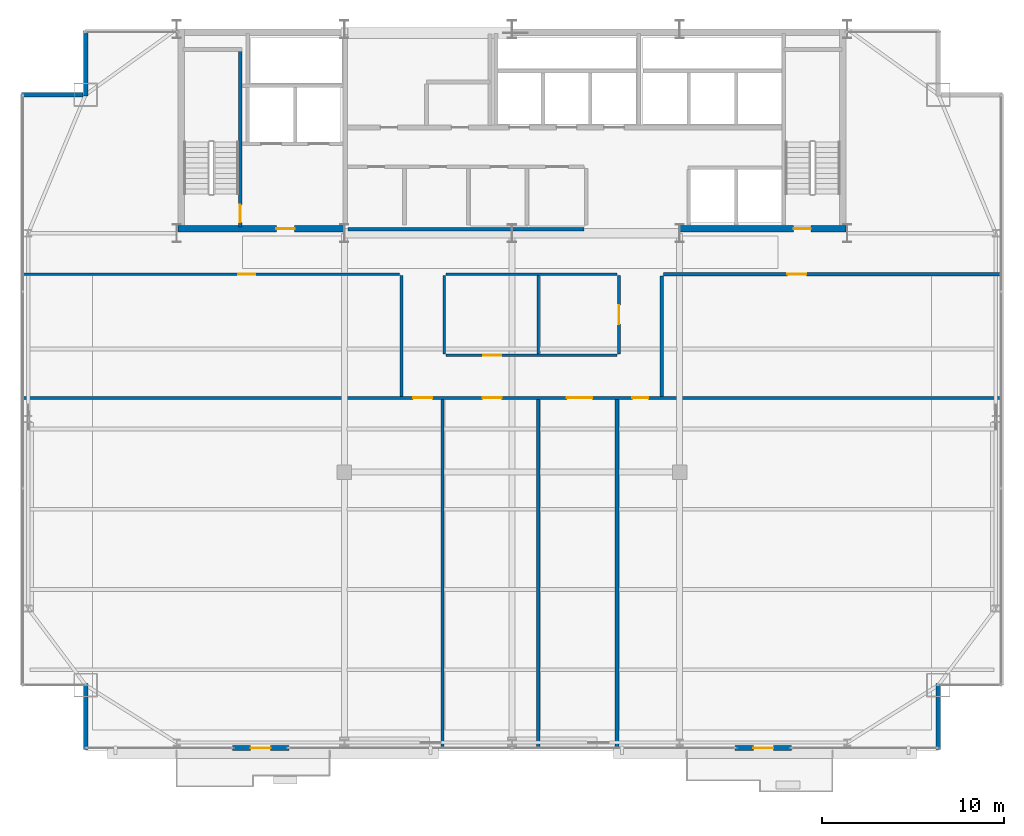
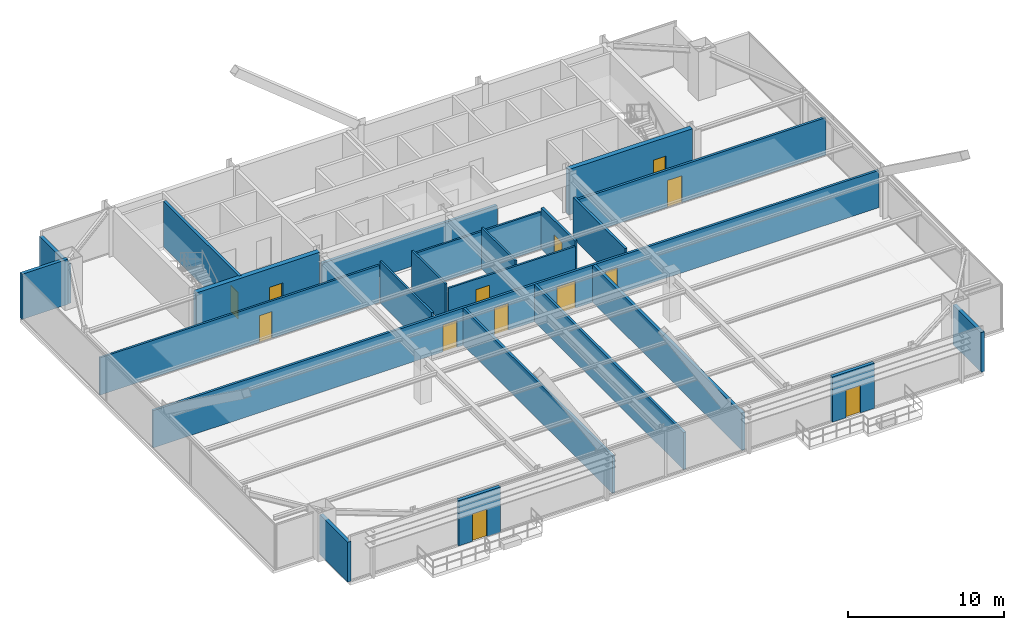
# One storey, part 28 of 32: 23 walls, 13 doors, 13 openings.
"""IFC4 building model written with IfcOpenShell, lengths in metres."""

from ifc_helpers import new_model, si_unit, direction, frame, frame_2d, origin, place, context, subcontext, project, spatial, rectangle, extrude, source, transform, mapped, material, layer, layer_set, type_object, type_shapes, element, fill, save


model = new_model("IFC4")

# Units and contexts
model_context = context("Model", 3, precision=1e-05, world=origin(), true_north=direction((0.0, 1.0)))
body_context = subcontext(model_context, "Body", "Model", "MODEL_VIEW")
ifc_project = project(units=[si_unit("LENGTHUNIT", "METRE"), si_unit("AREAUNIT", "SQUARE_METRE"), si_unit("VOLUMEUNIT", "CUBIC_METRE"), si_unit("PLANEANGLEUNIT", "RADIAN"), si_unit("MASSUNIT", "GRAM", prefix="KILO")], contexts=[model_context])

# Site, building, storey
site_placement = place(None, origin())
site = spatial("IfcSite", under=ifc_project, at=site_placement, CompositionType="ELEMENT")
building_placement = place(site_placement, origin())
building = spatial("IfcBuilding", under=site, at=building_placement, Name="Varnel Quay Broadcast Tower", CompositionType="ELEMENT")
storey_placement = place(building_placement, frame((0.0, 0.0, 164.800048828125)))
storey = spatial("IfcBuildingStorey", under=building, at=storey_placement, Name="L40", CompositionType="ELEMENT", Elevation=164.800048828125)

# Wall, opening, door
ifc_material_1 = material(Name="Concrete CSA A23.3 C50/60", Category="concrete")
ifc_layer_1 = layer(ifc_material_1, 0.199951171875, Name="Concrete CSA A23.3 C50/60")
ifc_layer_set_1 = layer_set([ifc_layer_1], Name="Concrete CSA A23.3 C50/60")
wall_type_1 = type_object("IfcWallType", Name="Wall_CoreShaftShear200", PredefinedType="SHEAR", material=ifc_layer_set_1)
wall_1_placement = place(storey_placement, frame((19.080078125, 35.949951171875, 0.0), z_axis=(0.0, 0.0, 1.0), x_axis=(0.0, 1.0, 0.0)))
wall_1 = element("IfcWall", 1, at=wall_1_placement, inside=storey, type_object=wall_type_1, Name="L40 Stair 1 East Structural Wall", PredefinedType="SHEAR", context=body_context, shape_type="SweptSolid", body=[
    extrude(rectangle(XDim=9.650146484375, YDim=0.199951171875, at=frame_2d((4.8251953125, 0.0))), origin(), (0.0, 0.0, 1.0), 3.550048828125),
])
opening_1_placement = place(wall_1_placement, frame((0.25, 0.0, 0.0)))
opening_1 = element("IfcOpeningElement", 2, at=opening_1_placement, cuts=wall_1, Name="Opening D-L40-S1", PredefinedType="OPENING", context=body_context, shape_type="SweptSolid", body=[
    extrude(rectangle(XDim=0.949951171875, YDim=2.10009765625, at=frame_2d((0.47509765625, 1.050048828125))), frame((0.0, 0.10986328125, 0.0), z_axis=(0.0, -1.0, 0.0), x_axis=(1.0, 0.0, 0.0)), (0.0, 0.0, 1.0), 0.219970703125),
])
ifc_material_2 = material(Name="Insulated Fire-Rated Hollow Steel Door", Category="steel")
door_type_1 = type_object("IfcDoorType", Name="Door_FireStair950", OperationType="NOTDEFINED", PredefinedType="DOOR", material=ifc_material_2)
shared_shape_1 = source(origin(), body_context, "Body", "SweptSolid", [
    extrude(rectangle(XDim=0.949951171875, YDim=2.10009765625, at=frame_2d((0.47509765625, 1.050048828125))), frame((0.0, 0.02490234375, 0.0), z_axis=(0.0, -1.0, 0.0), x_axis=(1.0, 0.0, 0.0)), (0.0, 0.0, 1.0), 0.050048828125),
])
type_shapes(door_type_1, [shared_shape_1])
door_1_placement = place(opening_1_placement, origin())
door_1 = element("IfcDoor", 3, at=door_1_placement, inside=storey, type_object=door_type_1, Name="L40 Stair 1 Fire Door", OperationType="SINGLE_SWING_RIGHT", OverallHeight=2.10009765625, OverallWidth=0.949951171875, PredefinedType="DOOR", context=body_context, shape_type="MappedRepresentation", body=[
    mapped(shared_shape_1, transform((0.0, 0.0, 0.0), x_axis=(1.0, 0.0, 0.0), y_axis=(0.0, 1.0, 0.0), z_axis=(0.0, 0.0, 1.0), scale=1.0)),
])
fill(opening_1, door_1)

ifc_layer_2 = layer(ifc_material_1, 0.35009765625, Name="Concrete CSA A23.3 C50/60")
ifc_layer_set_2 = layer_set([ifc_layer_2], Name="Concrete CSA A23.3 C50/60")
wall_type_2 = type_object("IfcWallType", Name="Wall_CoreShearInt350", PredefinedType="SHEAR", material=ifc_layer_set_2)
wall_2_placement = place(storey_placement, frame((15.669921875, 35.844970703125, 0.0), z_axis=(0.0, 0.0, 1.0), x_axis=(1.0, 0.0, 0.0)))
wall_2 = element("IfcWall", 4, at=wall_2_placement, inside=storey, type_object=wall_type_2, Name="L40 South-West Core Shear Wall", PredefinedType="SHEAR", context=body_context, shape_type="SweptSolid", body=[
    extrude(rectangle(XDim=9.130126953125, YDim=0.35009765625, at=frame_2d((4.56494140625, 0.0))), origin(), (0.0, 0.0, 1.0), 3.550048828125),
])
opening_2_placement = place(wall_2_placement, frame((5.39990234375, 0.0, 0.0)))
opening_2 = element("IfcOpeningElement", 5, at=opening_2_placement, cuts=wall_2, Name="Opening D-L40-FFL", PredefinedType="OPENING", context=body_context, shape_type="SweptSolid", body=[
    extrude(rectangle(XDim=1.0, YDim=2.10009765625, at=frame_2d((0.5, 1.050048828125))), frame((0.0, 0.18505859375, 0.0), z_axis=(0.0, -1.0, 0.0), x_axis=(1.0, 0.0, 0.0)), (0.0, 0.0, 1.0), 0.3701171875),
])
door_type_2 = type_object("IfcDoorType", Name="Door_FireLobby1000", OperationType="NOTDEFINED", PredefinedType="DOOR", material=ifc_material_2)
shared_shape_2 = source(origin(), body_context, "Body", "SweptSolid", [
    extrude(rectangle(XDim=1.0, YDim=2.10009765625, at=frame_2d((0.5, 1.050048828125))), frame((0.0, 0.02490234375, 0.0), z_axis=(0.0, -1.0, 0.0), x_axis=(1.0, 0.0, 0.0)), (0.0, 0.0, 1.0), 0.050048828125),
])
type_shapes(door_type_2, [shared_shape_2])
door_2_placement = place(opening_2_placement, origin())
door_2 = element("IfcDoor", 6, at=door_2_placement, inside=storey, type_object=door_type_2, Name="L40 Firefighting Lobby Door", OperationType="SINGLE_SWING_LEFT", OverallHeight=2.10009765625, OverallWidth=1.0, PredefinedType="DOOR", context=body_context, shape_type="MappedRepresentation", body=[
    mapped(shared_shape_2, transform((0.0, 0.0, 0.0), x_axis=(1.0, 0.0, 0.0), y_axis=(0.0, 1.0, 0.0), z_axis=(0.0, 0.0, 1.0), scale=1.0)),
])
fill(opening_2, door_2)

wall_3_placement = place(storey_placement, frame((43.199951171875, 35.844970703125, 0.0), z_axis=(0.0, 0.0, 1.0), x_axis=(1.0, 0.0, 0.0)))
wall_3 = element("IfcWall", 7, at=wall_3_placement, inside=storey, type_object=wall_type_2, Name="L40 South-East Core Shear Wall", PredefinedType="SHEAR", context=body_context, shape_type="SweptSolid", body=[
    extrude(rectangle(XDim=9.130126953125, YDim=0.35009765625, at=frame_2d((4.56494140625, 0.0))), origin(), (0.0, 0.0, 1.0), 3.550048828125),
])
opening_3_placement = place(wall_3_placement, frame((6.25, 0.0, 0.0)))
opening_3 = element("IfcOpeningElement", 8, at=opening_3_placement, cuts=wall_3, Name="Opening D-L40-S2", PredefinedType="OPENING", context=body_context, shape_type="SweptSolid", body=[
    extrude(rectangle(XDim=0.949951171875, YDim=2.10009765625, at=frame_2d((0.47509765625, 1.050048828125))), frame((0.0, 0.18505859375, 0.0), z_axis=(0.0, -1.0, 0.0), x_axis=(1.0, 0.0, 0.0)), (0.0, 0.0, 1.0), 0.3701171875),
])
door_3_placement = place(opening_3_placement, origin())
door_3 = element("IfcDoor", 9, at=door_3_placement, inside=storey, type_object=door_type_1, Name="L40 Stair 2 Fire Door", OperationType="SINGLE_SWING_RIGHT", OverallHeight=2.10009765625, OverallWidth=0.949951171875, PredefinedType="DOOR", context=body_context, shape_type="MappedRepresentation", body=[
    mapped(shared_shape_1, transform((0.0, 0.0, 0.0), x_axis=(1.0, 0.0, 0.0), y_axis=(0.0, 1.0, 0.0), z_axis=(0.0, 0.0, 1.0), scale=1.0)),
])
fill(opening_3, door_3)

ifc_material_3 = material(Name="Precast Architectural Concrete C40/50", Category="concrete")
ifc_layer_3 = layer(ifc_material_3, 0.25, Name="Precast Architectural Concrete C40/50")
ifc_layer_set_3 = layer_set([ifc_layer_3], Name="Precast Architectural Concrete C40/50")
wall_type_3 = type_object("IfcWallType", Name="Wall_ExtTerrace250", PredefinedType="SOLIDWALL", material=ifc_layer_set_3)
wall_4_placement = place(storey_placement, frame((18.64990234375, 7.35009765625, 0.0), z_axis=(0.0, 0.0, 1.0), x_axis=(1.0, 0.0, 0.0)))
wall_4 = element("IfcWall", 10, at=wall_4_placement, inside=storey, type_object=wall_type_3, Name="L40 Terrace Access Wall 1", PredefinedType="SOLIDWALL", context=body_context, shape_type="SweptSolid", body=[
    extrude(rectangle(XDim=3.10009765625, YDim=0.25, at=frame_2d((1.550048828125, 0.0))), origin(), (0.0, 0.0, 1.0), 3.530029296875),
])
opening_4_placement = place(wall_4_placement, frame((1.0, 0.0, 0.0)))
opening_4 = element("IfcOpeningElement", 11, at=opening_4_placement, cuts=wall_4, Name="Opening TD-401", PredefinedType="OPENING", context=body_context, shape_type="SweptSolid", body=[
    extrude(rectangle(XDim=1.10009765625, YDim=2.14990234375, at=frame_2d((0.550048828125, 1.074951171875))), frame((0.0, 0.135009765625, 0.0), z_axis=(0.0, -1.0, 0.0), x_axis=(1.0, 0.0, 0.0)), (0.0, 0.0, 1.0), 0.27001953125),
])
ifc_material_4 = material(Name="Anodised Bronze Aluminium 6063-T6", Category="aluminium")
door_type_3 = type_object("IfcDoorType", Name="Door_ExtTerrace1100", OperationType="NOTDEFINED", PredefinedType="DOOR", material=ifc_material_4)
shared_shape_3 = source(origin(), body_context, "Body", "SweptSolid", [
    extrude(rectangle(XDim=1.10009765625, YDim=2.14990234375, at=frame_2d((0.550048828125, 1.074951171875))), frame((0.0, 0.02490234375, 0.0), z_axis=(0.0, -1.0, 0.0), x_axis=(1.0, 0.0, 0.0)), (0.0, 0.0, 1.0), 0.050048828125),
])
type_shapes(door_type_3, [shared_shape_3])
door_4_placement = place(opening_4_placement, frame((1.10009765625, 0.0, 0.0), z_axis=(0.0, 0.0, 1.0), x_axis=(-1.0, 0.0, 0.0)))
door_4 = element("IfcDoor", 12, at=door_4_placement, inside=storey, type_object=door_type_3, Name="L40 Terrace Door TD-401", OperationType="SINGLE_SWING_LEFT", OverallHeight=2.14990234375, OverallWidth=1.10009765625, PredefinedType="DOOR", context=body_context, shape_type="MappedRepresentation", body=[
    mapped(shared_shape_3, transform((0.0, 0.0, 0.0), x_axis=(1.0, 0.0, 0.0), y_axis=(0.0, 1.0, 0.0), z_axis=(0.0, 0.0, 1.0), scale=1.0)),
])
fill(opening_4, door_4)

wall_5_placement = place(storey_placement, frame((46.25, 7.35009765625, 0.0), z_axis=(0.0, 0.0, 1.0), x_axis=(1.0, 0.0, 0.0)))
wall_5 = element("IfcWall", 13, at=wall_5_placement, inside=storey, type_object=wall_type_3, Name="L40 Terrace Access Wall 2", PredefinedType="SOLIDWALL", context=body_context, shape_type="SweptSolid", body=[
    extrude(rectangle(XDim=3.10009765625, YDim=0.25, at=frame_2d((1.550048828125, 0.0))), origin(), (0.0, 0.0, 1.0), 3.530029296875),
])
opening_5_placement = place(wall_5_placement, frame((1.0, 0.0, 0.0)))
opening_5 = element("IfcOpeningElement", 14, at=opening_5_placement, cuts=wall_5, Name="Opening TD-402", PredefinedType="OPENING", context=body_context, shape_type="SweptSolid", body=[
    extrude(rectangle(XDim=1.10009765625, YDim=2.14990234375, at=frame_2d((0.550048828125, 1.074951171875))), frame((0.0, 0.135009765625, 0.0), z_axis=(0.0, -1.0, 0.0), x_axis=(1.0, 0.0, 0.0)), (0.0, 0.0, 1.0), 0.27001953125),
])
door_5_placement = place(opening_5_placement, frame((1.10009765625, 0.0, 0.0), z_axis=(0.0, 0.0, 1.0), x_axis=(-1.0, 0.0, 0.0)))
door_5 = element("IfcDoor", 15, at=door_5_placement, inside=storey, type_object=door_type_3, Name="L40 Terrace Door TD-402", OperationType="SINGLE_SWING_RIGHT", OverallHeight=2.14990234375, OverallWidth=1.10009765625, PredefinedType="DOOR", context=body_context, shape_type="MappedRepresentation", body=[
    mapped(shared_shape_3, transform((0.0, 0.0, 0.0), x_axis=(1.0, 0.0, 0.0), y_axis=(0.0, 1.0, 0.0), z_axis=(0.0, 0.0, 1.0), scale=1.0)),
])
fill(opening_5, door_5)

# Walls
for number, where, z_axis, x_axis, name in (
    (16, (10.60009765625, 7.280029296875, 0.0), (0.0, 0.0, 1.0), (0.0, 1.0, 0.0), "L40 Mega-Column Notch Cladding Wall NSW2"),
    (17, (57.39990234375, 7.280029296875, 0.0), (0.0, 0.0, 1.0), (0.0, 1.0, 0.0), "L40 Mega-Column Notch Cladding Wall NSE2"),
):
    element("IfcWall", number, at=place(storey_placement, frame(where, z_axis=z_axis, x_axis=x_axis)), inside=storey, type_object=wall_type_3, Name=name, PredefinedType="SOLIDWALL", context=body_context, shape_type="SweptSolid", body=[
        extrude(rectangle(XDim=3.599853515625, YDim=0.25, at=frame_2d((1.7998046875, 0.0))), origin(), (0.0, 0.0, 1.0), 3.10791015625),
    ])
wall_6_placement = place(storey_placement, frame((7.080078125, 43.199951171875, 0.0), z_axis=(0.0, 0.0, 1.0), x_axis=(1.0, 0.0, 0.0)))
element("IfcWall", 18, at=wall_6_placement, inside=storey, type_object=wall_type_3, Name="L40 Mega-Column Notch Cladding Wall NNW1", PredefinedType="SOLIDWALL", context=body_context, shape_type="SweptSolid", body=[
    extrude(rectangle(XDim=3.389892578125, YDim=0.25, at=frame_2d((1.69482421875, 0.0))), origin(), (0.0, 0.0, 1.0), 3.530029296875),
])
wall_7_placement = place(storey_placement, frame((10.60009765625, 43.1201171875, 0.0), z_axis=(0.0, 0.0, 1.0), x_axis=(0.0, 1.0, 0.0)))
element("IfcWall", 19, at=wall_7_placement, inside=storey, type_object=wall_type_3, Name="L40 Mega-Column Notch Cladding Wall NNW2", PredefinedType="SOLIDWALL", context=body_context, shape_type="SweptSolid", body=[
    extrude(rectangle(XDim=3.599853515625, YDim=0.25, at=frame_2d((1.7998046875, 0.0))), origin(), (0.0, 0.0, 1.0), 3.10791015625),
])
ifc_material_5 = material(Name="Concrete Blockwork Fire Enclosure C40/50", Category="masonry")
ifc_layer_4 = layer(ifc_material_5, 0.199951171875, Name="Concrete Blockwork Fire Enclosure C40/50")
ifc_layer_set_4 = layer_set([ifc_layer_4], Name="Concrete Blockwork Fire Enclosure C40/50")
wall_type_4 = type_object("IfcWallType", Name="Wall_FireShaft200", PredefinedType="SOLIDWALL", material=ifc_layer_set_4)
wall_8_placement = place(storey_placement, frame((25.0, 35.824951171875, 0.0), z_axis=(0.0, 0.0, 1.0), x_axis=(1.0, 0.0, 0.0)))
element("IfcWall", 20, at=wall_8_placement, inside=storey, type_object=wall_type_4, Name="L40 Accessible Universal Washroom Partition 1", PredefinedType="SOLIDWALL", context=body_context, shape_type="SweptSolid", body=[
    extrude(rectangle(XDim=12.949951171875, YDim=0.199951171875, at=frame_2d((6.47509765625, 0.0))), origin(), (0.0, 0.0, 1.0), 2.574951171875),
])

# Wall, opening, door
ifc_material_6 = material(Name="Steel-Stud Fire-Rated Acoustic Gypsum Partition Assembly", Category="steel")
ifc_layer_5 = layer(ifc_material_6, 0.139892578125, Name="Steel-Stud Fire-Rated Acoustic Gypsum Partition Assembly")
ifc_layer_set_5 = layer_set([ifc_layer_5], Name="Steel-Stud Fire-Rated Acoustic Gypsum Partition Assembly")
wall_type_5 = type_object("IfcWallType", Name="Wall_Partition140", PredefinedType="PARTITIONING", material=ifc_layer_set_5)
wall_9_placement = place(storey_placement, frame((30.3798828125, 28.909912109375, 0.0), z_axis=(0.0, 0.0, 1.0), x_axis=(1.0, 0.0, 0.0)))
wall_9 = element("IfcWall", 21, at=wall_9_placement, inside=storey, type_object=wall_type_5, Name="L40 Reading Lounge 6 Partition 13", PredefinedType="PARTITIONING", context=body_context, shape_type="SweptSolid", body=[
    extrude(rectangle(XDim=9.39013671875, YDim=0.139892578125, at=frame_2d((4.695068359375, 0.0))), origin(), (0.0, 0.0, 1.0), 2.908935546875),
])
opening_6_placement = place(wall_9_placement, frame((2.030029296875, 0.0, 0.0)))
opening_6 = element("IfcOpeningElement", 22, at=opening_6_placement, cuts=wall_9, Name="Opening D-L40-10", PredefinedType="OPENING", context=body_context, shape_type="SweptSolid", body=[
    extrude(rectangle(XDim=1.0, YDim=2.10009765625, at=frame_2d((0.5, 1.050048828125))), frame((0.0, 0.080078125, 0.0), z_axis=(0.0, -1.0, 0.0), x_axis=(1.0, 0.0, 0.0)), (0.0, 0.0, 1.0), 0.159912109375),
])
ifc_material_7 = material(Name="Solid-Core Fire-Rated Acoustic Oak Veneer Door", Category="wood")
door_type_4 = type_object("IfcDoorType", Name="Door_Exec1000", OperationType="NOTDEFINED", PredefinedType="DOOR", material=ifc_material_7)
shared_shape_4 = source(origin(), body_context, "Body", "SweptSolid", [
    extrude(rectangle(XDim=1.0, YDim=2.10009765625, at=frame_2d((0.5, 1.050048828125))), frame((0.0, 0.02490234375, 0.0), z_axis=(0.0, -1.0, 0.0), x_axis=(1.0, 0.0, 0.0)), (0.0, 0.0, 1.0), 0.050048828125),
])
type_shapes(door_type_4, [shared_shape_4])
door_6_placement = place(opening_6_placement, origin())
door_6 = element("IfcDoor", 23, at=door_6_placement, inside=storey, type_object=door_type_4, Name="L40 Reading Lounge 6 Door D-L40-10", OperationType="SINGLE_SWING_LEFT", OverallHeight=2.10009765625, OverallWidth=1.0, PredefinedType="DOOR", context=body_context, shape_type="MappedRepresentation", body=[
    mapped(shared_shape_4, transform((0.0, 0.0, 0.0), x_axis=(1.0, 0.0, 0.0), y_axis=(0.0, 1.0, 0.0), z_axis=(0.0, 0.0, 1.0), scale=1.0)),
])
fill(opening_6, door_6)

# Walls
wall_10_placement = place(storey_placement, frame((35.43994140625, 28.97998046875, 0.0), z_axis=(0.0, 0.0, 1.0), x_axis=(0.0, 1.0, 0.0)))
element("IfcWall", 24, at=wall_10_placement, inside=storey, type_object=wall_type_5, Name="L40 Reading Lounge 6 Partition 14", PredefinedType="PARTITIONING", context=body_context, shape_type="SweptSolid", body=[
    extrude(rectangle(XDim=4.300048828125, YDim=0.139892578125, at=frame_2d((2.14990234375, 0.0))), origin(), (0.0, 0.0, 1.0), 3.221923828125),
])
wall_11_placement = place(storey_placement, frame((30.3798828125, 33.35009765625, 0.0), z_axis=(0.0, 0.0, 1.0), x_axis=(1.0, 0.0, 0.0)))
element("IfcWall", 25, at=wall_11_placement, inside=storey, type_object=wall_type_5, Name="L40 Reading Lounge 6 Partition 15", PredefinedType="PARTITIONING", context=body_context, shape_type="SweptSolid", body=[
    extrude(rectangle(XDim=9.39013671875, YDim=0.139892578125, at=frame_2d((4.695068359375, 0.0))), origin(), (0.0, 0.0, 1.0), 2.908935546875),
])
wall_12_placement = place(storey_placement, frame((30.280029296875, 28.97998046875, 0.0), z_axis=(0.0, 0.0, 1.0), x_axis=(0.0, 1.0, 0.0)))
element("IfcWall", 26, at=wall_12_placement, inside=storey, type_object=wall_type_5, Name="L40 Reading Lounge 6 Partition 16", PredefinedType="PARTITIONING", context=body_context, shape_type="SweptSolid", body=[
    extrude(rectangle(XDim=4.300048828125, YDim=0.139892578125, at=frame_2d((2.14990234375, 0.0))), origin(), (0.0, 0.0, 1.0), 3.221923828125),
])
ifc_layer_6 = layer(ifc_material_6, 0.14990234375, Name="Steel-Stud Fire-Rated Acoustic Gypsum Partition Assembly")
ifc_layer_set_6 = layer_set([ifc_layer_6], Name="Steel-Stud Fire-Rated Acoustic Gypsum Partition Assembly")
wall_type_6 = type_object("IfcWallType", Name="Wall_Partition150", PredefinedType="PARTITIONING", material=ifc_layer_set_6)
wall_13_placement = place(storey_placement, frame((27.929931640625, 26.64697265625, 0.0), z_axis=(0.0, 0.0, 1.0), x_axis=(0.0, 1.0, 0.0)))
element("IfcWall", 27, at=wall_13_placement, inside=storey, type_object=wall_type_6, Name="L40 Bureau Office 5 Partition 11", PredefinedType="PARTITIONING", context=body_context, shape_type="SweptSolid", body=[
    extrude(rectangle(XDim=6.6279296875, YDim=0.14990234375, at=frame_2d((3.31396484375, 0.0))), origin(), (0.0, 0.0, 1.0), 3.221923828125),
])

# Wall, opening, door
wall_14_placement = place(storey_placement, frame((7.179931640625, 33.35009765625, 0.0), z_axis=(0.0, 0.0, 1.0), x_axis=(1.0, 0.0, 0.0)))
wall_14 = element("IfcWall", 28, at=wall_14_placement, inside=storey, type_object=wall_type_6, Name="L40 Bureau Office 5 Partition 12", PredefinedType="PARTITIONING", context=body_context, shape_type="SweptSolid", body=[
    extrude(rectangle(XDim=20.650146484375, YDim=0.14990234375, at=frame_2d((10.3251953125, 0.0))), origin(), (0.0, 0.0, 1.0), 2.908935546875),
])
opening_7_placement = place(wall_14_placement, frame((11.800048828125, 0.0, 0.0)))
opening_7 = element("IfcOpeningElement", 29, at=opening_7_placement, cuts=wall_14, Name="Opening D-L40-09", PredefinedType="OPENING", context=body_context, shape_type="SweptSolid", body=[
    extrude(rectangle(XDim=0.919921875, YDim=2.080078125, at=frame_2d((0.4599609375, 1.0400390625))), frame((0.0, 0.0849609375, 0.0), z_axis=(0.0, -1.0, 0.0), x_axis=(1.0, 0.0, 0.0)), (0.0, 0.0, 1.0), 0.169921875),
])
door_type_5 = type_object("IfcDoorType", Name="Door_Office920", OperationType="NOTDEFINED", PredefinedType="DOOR", material=ifc_material_7)
shared_shape_5 = source(origin(), body_context, "Body", "SweptSolid", [
    extrude(rectangle(XDim=0.919921875, YDim=2.080078125, at=frame_2d((0.4599609375, 1.0400390625))), frame((0.0, 0.02490234375, 0.0), z_axis=(0.0, -1.0, 0.0), x_axis=(1.0, 0.0, 0.0)), (0.0, 0.0, 1.0), 0.050048828125),
])
type_shapes(door_type_5, [shared_shape_5])
door_7_placement = place(opening_7_placement, frame((0.919921875, 0.0, 0.0), z_axis=(0.0, 0.0, 1.0), x_axis=(-1.0, 0.0, 0.0)))
door_7 = element("IfcDoor", 30, at=door_7_placement, inside=storey, type_object=door_type_5, Name="L40 Bureau Office 5 Door D-L40-09", OperationType="SINGLE_SWING_RIGHT", OverallHeight=2.080078125, OverallWidth=0.919921875, PredefinedType="DOOR", context=body_context, shape_type="MappedRepresentation", body=[
    mapped(shared_shape_5, transform((0.0, 0.0, 0.0), x_axis=(1.0, 0.0, 0.0), y_axis=(0.0, 1.0, 0.0), z_axis=(0.0, 0.0, 1.0), scale=1.0)),
])
fill(opening_7, door_7)

# Wall
ifc_layer_7 = layer(ifc_material_6, 0.175048828125, Name="Steel-Stud Fire-Rated Acoustic Gypsum Partition Assembly")
ifc_layer_set_7 = layer_set([ifc_layer_7], Name="Steel-Stud Fire-Rated Acoustic Gypsum Partition Assembly")
wall_type_7 = type_object("IfcWallType", Name="Wall_Partition175", PredefinedType="PARTITIONING", material=ifc_layer_set_7)
wall_15_placement = place(storey_placement, frame((30.179931640625, 7.3798828125, 0.0), z_axis=(0.0, 0.0, 1.0), x_axis=(0.0, 1.0, 0.0)))
element("IfcWall", 31, at=wall_15_placement, inside=storey, type_object=wall_type_7, Name="L40 Press Briefing Room 1 Partition 7", PredefinedType="PARTITIONING", context=body_context, shape_type="SweptSolid", body=[
    extrude(rectangle(XDim=19.093017578125, YDim=0.175048828125, at=frame_2d((9.54638671875, 0.0))), origin(), (0.0, 0.0, 1.0), 2.908935546875),
])

# Wall, openings, doors
wall_16_placement = place(storey_placement, frame((7.179931640625, 26.56005859375, 0.0), z_axis=(0.0, 0.0, 1.0), x_axis=(1.0, 0.0, 0.0)))
wall_16 = element("IfcWall", 32, at=wall_16_placement, inside=storey, type_object=wall_type_7, Name="L40 Press Briefing Room 1 Partition 8", PredefinedType="PARTITIONING", context=body_context, shape_type="SweptSolid", body=[
    extrude(rectangle(XDim=53.64013671875, YDim=0.175048828125, at=frame_2d((26.820068359375, 0.0))), origin(), (0.0, 0.0, 1.0), 2.908935546875),
])
opening_8_placement = place(wall_16_placement, frame((21.39990234375, 0.0, 0.0)))
opening_8 = element("IfcOpeningElement", 33, at=opening_8_placement, cuts=wall_16, Name="Opening D-L40-05", PredefinedType="OPENING", context=body_context, shape_type="SweptSolid", body=[
    extrude(rectangle(XDim=1.050048828125, YDim=2.10009765625, at=frame_2d((0.52490234375, 1.050048828125))), frame((0.0, 0.09765625, 0.0), z_axis=(0.0, -1.0, 0.0), x_axis=(1.0, 0.0, 0.0)), (0.0, 0.0, 1.0), 0.195068359375),
])
opening_9_placement = place(wall_16_placement, frame((25.205078125, 0.0, 0.0)))
opening_9 = element("IfcOpeningElement", 34, at=opening_9_placement, cuts=wall_16, Name="Opening D-L40-06", PredefinedType="OPENING", context=body_context, shape_type="SweptSolid", body=[
    extrude(rectangle(XDim=1.050048828125, YDim=2.10009765625, at=frame_2d((0.52490234375, 1.050048828125))), frame((0.0, 0.09765625, 0.0), z_axis=(0.0, -1.0, 0.0), x_axis=(1.0, 0.0, 0.0)), (0.0, 0.0, 1.0), 0.195068359375),
])
opening_10_placement = place(wall_16_placement, frame((29.824951171875, 0.0, 0.0)))
opening_10 = element("IfcOpeningElement", 35, at=opening_10_placement, cuts=wall_16, Name="Opening D-L40-07", PredefinedType="OPENING", context=body_context, shape_type="SweptSolid", body=[
    extrude(rectangle(XDim=1.39990234375, YDim=2.1201171875, at=frame_2d((0.699951171875, 1.06005859375))), frame((0.0, 0.09765625, 0.0), z_axis=(0.0, -1.0, 0.0), x_axis=(1.0, 0.0, 0.0)), (0.0, 0.0, 1.0), 0.195068359375),
])
opening_11_placement = place(wall_16_placement, frame((33.425048828125, 0.0, 0.0)))
opening_11 = element("IfcOpeningElement", 36, at=opening_11_placement, cuts=wall_16, Name="Opening D-L40-08", PredefinedType="OPENING", context=body_context, shape_type="SweptSolid", body=[
    extrude(rectangle(XDim=0.8798828125, YDim=2.06005859375, at=frame_2d((0.43994140625, 1.030029296875))), frame((0.0, 0.09765625, 0.0), z_axis=(0.0, -1.0, 0.0), x_axis=(1.0, 0.0, 0.0)), (0.0, 0.0, 1.0), 0.195068359375),
])
door_type_6 = type_object("IfcDoorType", Name="Door_Booth880", OperationType="NOTDEFINED", PredefinedType="DOOR", material=ifc_material_7)
shared_shape_6 = source(origin(), body_context, "Body", "SweptSolid", [
    extrude(rectangle(XDim=0.8798828125, YDim=2.06005859375, at=frame_2d((0.43994140625, 1.030029296875))), frame((0.0, 0.02490234375, 0.0), z_axis=(0.0, -1.0, 0.0), x_axis=(1.0, 0.0, 0.0)), (0.0, 0.0, 1.0), 0.050048828125),
])
type_shapes(door_type_6, [shared_shape_6])
door_8_placement = place(opening_11_placement, frame((0.8798828125, 0.0, 0.0), z_axis=(0.0, 0.0, 1.0), x_axis=(-1.0, 0.0, 0.0)))
door_8 = element("IfcDoor", 37, at=door_8_placement, inside=storey, type_object=door_type_6, Name="L40 Catering Kitchen 4 Door D-L40-08", OperationType="SINGLE_SWING_LEFT", OverallHeight=2.06005859375, OverallWidth=0.8798828125, PredefinedType="DOOR", context=body_context, shape_type="MappedRepresentation", body=[
    mapped(shared_shape_6, transform((0.0, 0.0, 0.0), x_axis=(1.0, 0.0, 0.0), y_axis=(0.0, 1.0, 0.0), z_axis=(0.0, 0.0, 1.0), scale=1.0)),
])
fill(opening_11, door_8)
door_type_7 = type_object("IfcDoorType", Name="Door_Meeting1050", OperationType="NOTDEFINED", PredefinedType="DOOR", material=ifc_material_7)
shared_shape_7 = source(origin(), body_context, "Body", "SweptSolid", [
    extrude(rectangle(XDim=1.050048828125, YDim=2.10009765625, at=frame_2d((0.52490234375, 1.050048828125))), frame((0.0, 0.02490234375, 0.0), z_axis=(0.0, -1.0, 0.0), x_axis=(1.0, 0.0, 0.0)), (0.0, 0.0, 1.0), 0.050048828125),
])
type_shapes(door_type_7, [shared_shape_7])
door_9_placement = place(opening_8_placement, frame((1.050048828125, 0.0, 0.0), z_axis=(0.0, 0.0, 1.0), x_axis=(-1.0, 0.0, 0.0)))
door_9 = element("IfcDoor", 38, at=door_9_placement, inside=storey, type_object=door_type_7, Name="L40 Press Briefing Room 1 Door D-L40-05", OperationType="SINGLE_SWING_LEFT", OverallHeight=2.10009765625, OverallWidth=1.050048828125, PredefinedType="DOOR", context=body_context, shape_type="MappedRepresentation", body=[
    mapped(shared_shape_7, transform((0.0, 0.0, 0.0), x_axis=(1.0, 0.0, 0.0), y_axis=(0.0, 1.0, 0.0), z_axis=(0.0, 0.0, 1.0), scale=1.0)),
])
fill(opening_8, door_9)
door_10_placement = place(opening_9_placement, frame((1.050048828125, 0.0, 0.0), z_axis=(0.0, 0.0, 1.0), x_axis=(-1.0, 0.0, 0.0)))
door_10 = element("IfcDoor", 39, at=door_10_placement, inside=storey, type_object=door_type_7, Name="L40 Editorial Huddle Room 2 Door D-L40-06", OperationType="SINGLE_SWING_RIGHT", OverallHeight=2.10009765625, OverallWidth=1.050048828125, PredefinedType="DOOR", context=body_context, shape_type="MappedRepresentation", body=[
    mapped(shared_shape_7, transform((0.0, 0.0, 0.0), x_axis=(1.0, 0.0, 0.0), y_axis=(0.0, 1.0, 0.0), z_axis=(0.0, 0.0, 1.0), scale=1.0)),
])
fill(opening_9, door_10)
door_type_8 = type_object("IfcDoorType", Name="Door_Gallery1400", OperationType="DOUBLE_DOOR_SINGLE_SWING", PredefinedType="DOOR", material=ifc_material_7)
shared_shape_8 = source(origin(), body_context, "Body", "SweptSolid", [
    extrude(rectangle(XDim=1.39990234375, YDim=2.1201171875, at=frame_2d((0.699951171875, 1.06005859375))), frame((0.0, 0.02490234375, 0.0), z_axis=(0.0, -1.0, 0.0), x_axis=(1.0, 0.0, 0.0)), (0.0, 0.0, 1.0), 0.050048828125),
])
type_shapes(door_type_8, [shared_shape_8])
door_11_placement = place(opening_10_placement, frame((1.39990234375, 0.0, 0.0), z_axis=(0.0, 0.0, 1.0), x_axis=(-1.0, 0.0, 0.0)))
door_11 = element("IfcDoor", 40, at=door_11_placement, inside=storey, type_object=door_type_8, Name="L40 Journalism Training Studio 3 Door D-L40-07", OperationType="DOUBLE_DOOR_SINGLE_SWING", OverallHeight=2.1201171875, OverallWidth=1.39990234375, PredefinedType="DOOR", context=body_context, shape_type="MappedRepresentation", body=[
    mapped(shared_shape_8, transform((0.0, 0.0, 0.0), x_axis=(1.0, 0.0, 0.0), y_axis=(0.0, 1.0, 0.0), z_axis=(0.0, 0.0, 1.0), scale=1.0)),
])
fill(opening_10, door_11)

# Wall
wall_17_placement = place(storey_placement, frame((35.43994140625, 7.3798828125, 0.0), z_axis=(0.0, 0.0, 1.0), x_axis=(0.0, 1.0, 0.0)))
element("IfcWall", 41, at=wall_17_placement, inside=storey, type_object=wall_type_7, Name="L40 Editorial Huddle Room 2 Partition 9", PredefinedType="PARTITIONING", context=body_context, shape_type="SweptSolid", body=[
    extrude(rectangle(XDim=19.093017578125, YDim=0.175048828125, at=frame_2d((9.54638671875, 0.0))), origin(), (0.0, 0.0, 1.0), 2.908935546875),
])

# Wall, opening, door
wall_18_placement = place(storey_placement, frame((39.8701171875, 28.97998046875, 0.0), z_axis=(0.0, 0.0, 1.0), x_axis=(0.0, 1.0, 0.0)))
wall_18 = element("IfcWall", 42, at=wall_18_placement, inside=storey, type_object=wall_type_7, Name="L40 Broadcast Seminar Room 7 Partition 17", PredefinedType="PARTITIONING", context=body_context, shape_type="SweptSolid", body=[
    extrude(rectangle(XDim=4.300048828125, YDim=0.175048828125, at=frame_2d((2.14990234375, 0.0))), origin(), (0.0, 0.0, 1.0), 3.221923828125),
])
opening_12_placement = place(wall_18_placement, frame((1.625, 0.0, 0.0)))
opening_12 = element("IfcOpeningElement", 43, at=opening_12_placement, cuts=wall_18, Name="Opening D-L40-11", PredefinedType="OPENING", context=body_context, shape_type="SweptSolid", body=[
    extrude(rectangle(XDim=1.050048828125, YDim=2.10009765625, at=frame_2d((0.52490234375, 1.050048828125))), frame((0.0, 0.09765625, 0.0), z_axis=(0.0, -1.0, 0.0), x_axis=(1.0, 0.0, 0.0)), (0.0, 0.0, 1.0), 0.195068359375),
])
door_12_placement = place(opening_12_placement, origin())
door_12 = element("IfcDoor", 44, at=door_12_placement, inside=storey, type_object=door_type_7, Name="L40 Broadcast Seminar Room 7 Door D-L40-11", OperationType="SINGLE_SWING_RIGHT", OverallHeight=2.10009765625, OverallWidth=1.050048828125, PredefinedType="DOOR", context=body_context, shape_type="MappedRepresentation", body=[
    mapped(shared_shape_7, transform((0.0, 0.0, 0.0), x_axis=(1.0, 0.0, 0.0), y_axis=(0.0, 1.0, 0.0), z_axis=(0.0, 0.0, 1.0), scale=1.0)),
])
fill(opening_12, door_12)

wall_19_placement = place(storey_placement, frame((42.320068359375, 33.35009765625, 0.0), z_axis=(0.0, 0.0, 1.0), x_axis=(1.0, 0.0, 0.0)))
wall_19 = element("IfcWall", 45, at=wall_19_placement, inside=storey, type_object=wall_type_7, Name="L40 Press Briefing Room 8 Partition 18", PredefinedType="PARTITIONING", context=body_context, shape_type="SweptSolid", body=[
    extrude(rectangle(XDim=18.5, YDim=0.175048828125, at=frame_2d((9.25, 0.0))), origin(), (0.0, 0.0, 1.0), 2.908935546875),
])
opening_13_placement = place(wall_19_placement, frame((6.7900390625, 0.0, 0.0)))
opening_13 = element("IfcOpeningElement", 46, at=opening_13_placement, cuts=wall_19, Name="Opening D-L40-12", PredefinedType="OPENING", context=body_context, shape_type="SweptSolid", body=[
    extrude(rectangle(XDim=1.050048828125, YDim=2.10009765625, at=frame_2d((0.52490234375, 1.050048828125))), frame((0.0, 0.09765625, 0.0), z_axis=(0.0, -1.0, 0.0), x_axis=(1.0, 0.0, 0.0)), (0.0, 0.0, 1.0), 0.195068359375),
])
door_13_placement = place(opening_13_placement, frame((1.050048828125, 0.0, 0.0), z_axis=(0.0, 0.0, 1.0), x_axis=(-1.0, 0.0, 0.0)))
door_13 = element("IfcDoor", 47, at=door_13_placement, inside=storey, type_object=door_type_7, Name="L40 Press Briefing Room 8 Door D-L40-12", OperationType="SINGLE_SWING_LEFT", OverallHeight=2.10009765625, OverallWidth=1.050048828125, PredefinedType="DOOR", context=body_context, shape_type="MappedRepresentation", body=[
    mapped(shared_shape_7, transform((0.0, 0.0, 0.0), x_axis=(1.0, 0.0, 0.0), y_axis=(0.0, 1.0, 0.0), z_axis=(0.0, 0.0, 1.0), scale=1.0)),
])
fill(opening_13, door_13)

# Walls
wall_20_placement = place(storey_placement, frame((42.219970703125, 26.64697265625, 0.0), z_axis=(0.0, 0.0, 1.0), x_axis=(0.0, 1.0, 0.0)))
element("IfcWall", 48, at=wall_20_placement, inside=storey, type_object=wall_type_7, Name="L40 Press Briefing Room 8 Partition 19", PredefinedType="PARTITIONING", context=body_context, shape_type="SweptSolid", body=[
    extrude(rectangle(XDim=6.615966796875, YDim=0.175048828125, at=frame_2d((3.30810546875, 0.0))), origin(), (0.0, 0.0, 1.0), 3.221923828125),
])
ifc_layer_8 = layer(ifc_material_6, 0.22509765625, Name="Steel-Stud Fire-Rated Acoustic Gypsum Partition Assembly")
ifc_layer_set_8 = layer_set([ifc_layer_8], Name="Steel-Stud Fire-Rated Acoustic Gypsum Partition Assembly")
wall_type_8 = type_object("IfcWallType", Name="Wall_Partition225", PredefinedType="PARTITIONING", material=ifc_layer_set_8)
wall_21_placement = place(storey_placement, frame((39.77001953125, 7.3798828125, 0.0), z_axis=(0.0, 0.0, 1.0), x_axis=(0.0, 1.0, 0.0)))
element("IfcWall", 49, at=wall_21_placement, inside=storey, type_object=wall_type_8, Name="L40 Journalism Training Studio 3 Partition 10", PredefinedType="PARTITIONING", context=body_context, shape_type="SweptSolid", body=[
    extrude(rectangle(XDim=19.093017578125, YDim=0.22509765625, at=frame_2d((9.54638671875, 0.0))), origin(), (0.0, 0.0, 1.0), 2.908935546875),
])

save(model, "model.ifc")
